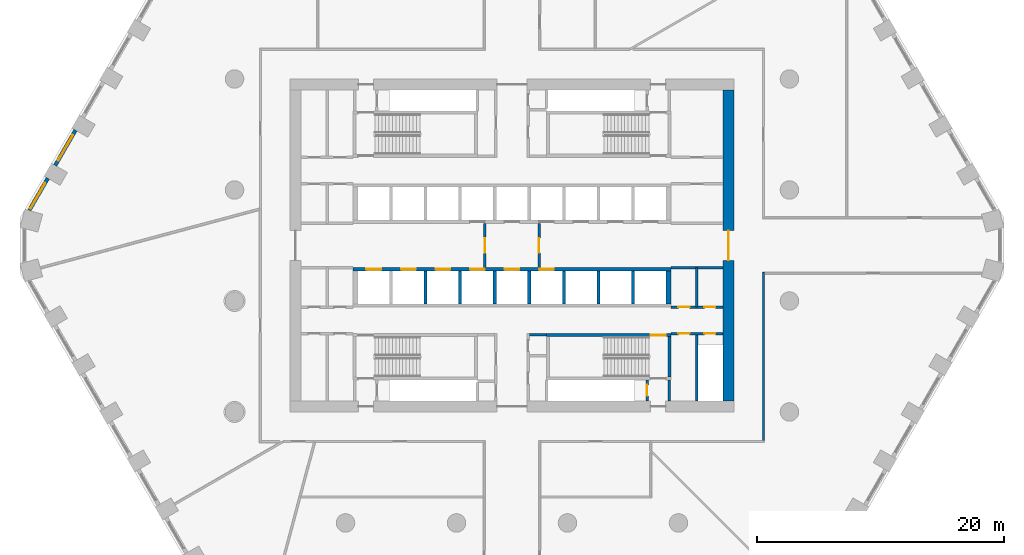
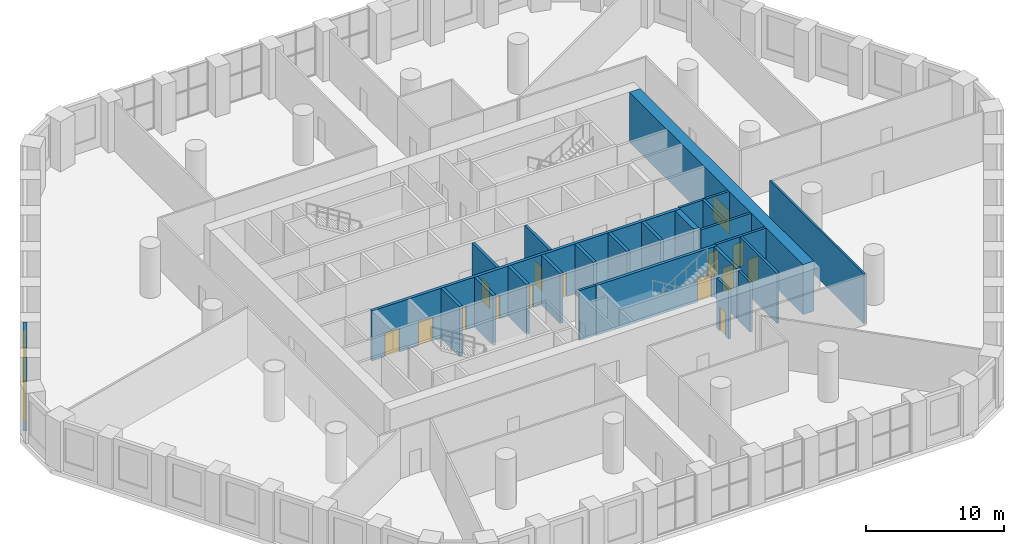
# One storey, part 7 of 13: 25 walls, 15 doors, 2 windows, 17 openings.
"""IFC4 building model written with IfcOpenShell, lengths in metres."""

from ifc_helpers import new_model, si_unit, direction, frame, frame_2d, origin, place, context, subcontext, project, spatial, polyline, rectangle, outline, extrude, material, layer, layer_set, type_object, element, fill, save


model = new_model("IFC4")

# Units and contexts
model_context = context("Model", 3, precision=1e-05, world=origin(), true_north=direction((0.0, 1.0)))
body_context = subcontext(model_context, "Body", "Model", "MODEL_VIEW")
ifc_project = project(units=[si_unit("LENGTHUNIT", "METRE"), si_unit("AREAUNIT", "SQUARE_METRE"), si_unit("VOLUMEUNIT", "CUBIC_METRE"), si_unit("PLANEANGLEUNIT", "RADIAN"), si_unit("MASSUNIT", "GRAM", prefix="KILO")], contexts=[model_context])

# Site, building, storey
site_placement = place(None, origin())
site = spatial("IfcSite", under=ifc_project, at=site_placement, CompositionType="ELEMENT")
building_placement = place(site_placement, origin())
building = spatial("IfcBuilding", under=site, at=building_placement, Name="Dhurran Vertical Campus", CompositionType="ELEMENT")
storey_placement = place(building_placement, frame((0.0, 0.0, 25.199951171875)))
storey = spatial("IfcBuildingStorey", under=building, at=storey_placement, Name="L05", CompositionType="ELEMENT", Elevation=25.199951171875)

# Wall, opening, window
ifc_material_1 = material(Name="Precast concrete C50/60", Category="concrete")
ifc_layer_1 = layer(ifc_material_1, 0.300048828125)
ifc_layer_set_1 = layer_set([ifc_layer_1], Name="Precast concrete C50/60")
wall_type_1 = type_object("IfcWallType", Name="Precast spandrel wall 300", PredefinedType="SOLIDWALL", material=ifc_layer_set_1)
wall_1_placement = place(storey_placement, frame((-35.394287109375, 9.34912109375, 0.0), z_axis=(0.0, 0.0, 1.0), x_axis=(-0.499991515992, -0.866030301974, 0.0)))
wall_1 = element("IfcWall", 1, at=wall_1_placement, inside=storey, type_object=wall_type_1, Name="EW1 L05.41", PredefinedType="SOLIDWALL", context=body_context, shape_type="SweptSolid", body=[
    extrude(rectangle(XDim=3.298828125, YDim=0.300048828125, at=frame_2d((1.6494140625, 0.0))), origin(), (0.0, 0.0, 1.0), 4.425048828125),
])
opening_1_placement = place(wall_1_placement, frame((0.449462890625, 0.0, 0.89990234375)))
opening_1 = element("IfcOpeningElement", 2, at=opening_1_placement, cuts=wall_1, Name="Opening WT2", PredefinedType="OPENING", context=body_context, shape_type="SweptSolid", body=[
    extrude(rectangle(XDim=2.39990234375, YDim=3.0, at=frame_2d((1.199951171875, 1.5))), frame((0.0, 0.159912109375, 0.0), z_axis=(0.0, -1.0, 0.0), x_axis=(1.0, 0.0, 0.0)), (0.0, 0.0, 1.0), 0.320068359375),
])
ifc_material_2 = material(Name="Aluminium frame with solar-control glass", Category="aluminium")
window_type = type_object("IfcWindowType", Name="Podium window 2400 x 3000", PartitioningType="SINGLE_PANEL", PredefinedType="WINDOW", material=ifc_material_2)
window_1_placement = place(opening_1_placement, origin())
window_1 = element("IfcWindow", 3, at=window_1_placement, inside=storey, type_object=window_type, Name="WT2 L05.41", OverallHeight=3.0, OverallWidth=2.39990234375, PartitioningType="SINGLE_PANEL", PredefinedType="WINDOW", context=body_context, shape_type="SweptSolid", body=[
    extrude(rectangle(XDim=2.39990234375, YDim=3.0, at=frame_2d((1.199951171875, 1.5))), frame((0.0, 0.030029296875, 0.0), z_axis=(0.0, -1.0, 0.0), x_axis=(1.0, 0.0, 0.0)), (0.0, 0.0, 1.0), 0.06005859375),
])
fill(opening_1, window_1)

wall_2_placement = place(storey_placement, frame((-37.644287109375, 5.4521484375, 0.0), z_axis=(0.0, 0.0, 1.0), x_axis=(-0.49999586137, -0.866027793211, 0.0)))
wall_2 = element("IfcWall", 4, at=wall_2_placement, inside=storey, type_object=wall_type_1, Name="EW1 L05.42", PredefinedType="SOLIDWALL", context=body_context, shape_type="SweptSolid", body=[
    extrude(rectangle(XDim=2.98876953125, YDim=0.300048828125, at=frame_2d((1.494384765625, 0.0))), origin(), (0.0, 0.0, 1.0), 4.425048828125),
])
opening_2_placement = place(wall_2_placement, frame((0.449462890625, 0.0, 0.89990234375)))
opening_2 = element("IfcOpeningElement", 5, at=opening_2_placement, cuts=wall_2, Name="Opening WT2", PredefinedType="OPENING", context=body_context, shape_type="SweptSolid", body=[
    extrude(rectangle(XDim=2.39990234375, YDim=3.0, at=frame_2d((1.199951171875, 1.5))), frame((0.0, 0.159912109375, 0.0), z_axis=(0.0, -1.0, 0.0), x_axis=(1.0, 0.0, 0.0)), (0.0, 0.0, 1.0), 0.320068359375),
])
window_2_placement = place(opening_2_placement, origin())
window_2 = element("IfcWindow", 6, at=window_2_placement, inside=storey, type_object=window_type, Name="WT2 L05.42", OverallHeight=3.0, OverallWidth=2.39990234375, PartitioningType="SINGLE_PANEL", PredefinedType="WINDOW", context=body_context, shape_type="SweptSolid", body=[
    extrude(rectangle(XDim=2.39990234375, YDim=3.0, at=frame_2d((1.199951171875, 1.5))), frame((0.0, 0.030029296875, 0.0), z_axis=(0.0, -1.0, 0.0), x_axis=(1.0, 0.0, 0.0)), (0.0, 0.0, 1.0), 0.06005859375),
])
fill(opening_2, window_2)

# Wall, opening, door
ifc_material_3 = material(Name="Concrete C60/75", Category="concrete")
ifc_layer_2 = layer(ifc_material_3, 0.89990234375)
ifc_layer_set_2 = layer_set([ifc_layer_2], Name="Concrete C60/75")
wall_type_2 = type_object("IfcWallType", Name="co-CORE-WALL-C0-900", PredefinedType="SHEAR", material=ifc_layer_set_2)
wall_3_placement = place(storey_placement, frame((17.550048828125, -12.60009765625, 0.0), z_axis=(0.0, 0.0, 1.0), x_axis=(0.0, 1.0, 0.0)))
wall_3 = element("IfcWall", 7, at=wall_3_placement, inside=storey, type_object=wall_type_2, Name="Core wall E L05", PredefinedType="SHEAR", context=body_context, shape_type="SweptSolid", body=[
    extrude(rectangle(XDim=25.2001953125, YDim=0.89990234375, at=frame_2d((12.60009765625, 0.0))), origin(), (0.0, 0.0, 1.0), 4.425048828125),
])
opening_3_placement = place(wall_3_placement, frame((11.39990234375, 0.0, 0.0)))
opening_3 = element("IfcOpeningElement", 8, at=opening_3_placement, cuts=wall_3, Name="Opening CL2", PredefinedType="OPENING", context=body_context, shape_type="SweptSolid", body=[
    extrude(rectangle(XDim=2.39990234375, YDim=2.10009765625, at=frame_2d((1.199951171875, 1.050048828125))), frame((0.0, 0.4599609375, 0.0), z_axis=(0.0, -1.0, 0.0), x_axis=(1.0, 0.0, 0.0)), (0.0, 0.0, 1.0), 0.919921875),
])
ifc_material_4 = material(Name="Fire-rated glazed door set")
door_type_1 = type_object("IfcDoorType", Name="co-D-LOBBY 2400x2100", OperationType="DOUBLE_DOOR_DOUBLE_SWING", PredefinedType="DOOR", material=ifc_material_4)
door_1_placement = place(opening_3_placement, origin())
door_1 = element("IfcDoor", 9, at=door_1_placement, inside=storey, type_object=door_type_1, Name="Lift lobby door E L05", OperationType="DOUBLE_DOOR_DOUBLE_SWING", OverallHeight=2.10009765625, OverallWidth=2.39990234375, PredefinedType="DOOR", context=body_context, shape_type="SweptSolid", body=[
    extrude(rectangle(XDim=2.39990234375, YDim=2.10009765625, at=frame_2d((1.199951171875, 1.050048828125))), frame((0.0, 0.02490234375, 0.0), z_axis=(0.0, -1.0, 0.0), x_axis=(1.0, 0.0, 0.0)), (0.0, 0.0, 1.0), 0.050048828125),
])
fill(opening_3, door_1)

ifc_material_5 = material(Name="Fire-rated masonry blockwork", Category="masonry")
ifc_layer_3 = layer(ifc_material_5, 0.199951171875)
ifc_layer_set_3 = layer_set([ifc_layer_3], Name="Fire-rated masonry blockwork")
wall_type_3 = type_object("IfcWallType", Name="co-FIRE-PARTITION-200", PredefinedType="PARTITIONING", material=ifc_layer_set_3)
wall_4_placement = place(storey_placement, frame((-2.199951171875, -1.800048828125, 0.0), z_axis=(0.0, 0.0, 1.0), x_axis=(0.0, 1.0, 0.0)))
wall_4 = element("IfcWall", 10, at=wall_4_placement, inside=storey, type_object=wall_type_3, Name="Firefighting lobby wall W L05", PredefinedType="PARTITIONING", context=body_context, shape_type="SweptSolid", body=[
    extrude(rectangle(XDim=3.60009765625, YDim=0.199951171875, at=frame_2d((1.800048828125, 0.0))), origin(), (0.0, 0.0, 1.0), 4.425048828125),
])
opening_4_placement = place(wall_4_placement, frame((1.199951171875, 0.0, 0.0)))
opening_4 = element("IfcOpeningElement", 11, at=opening_4_placement, cuts=wall_4, Name="Opening FL1", PredefinedType="OPENING", context=body_context, shape_type="SweptSolid", body=[
    extrude(rectangle(XDim=1.199951171875, YDim=2.10009765625, at=frame_2d((0.60009765625, 1.050048828125))), frame((0.0, 0.10986328125, 0.0), z_axis=(0.0, -1.0, 0.0), x_axis=(1.0, 0.0, 0.0)), (0.0, 0.0, 1.0), 0.219970703125),
])
ifc_material_6 = material(Name="Fire-rated steel door set", Category="steel")
door_type_2 = type_object("IfcDoorType", Name="co-D-FFLOBBY 1200x2100", OperationType="SINGLE_SWING_LEFT", PredefinedType="DOOR", material=ifc_material_6)
door_2_placement = place(opening_4_placement, origin())
door_2 = element("IfcDoor", 12, at=door_2_placement, inside=storey, type_object=door_type_2, Name="Firefighting lobby door W L05", OperationType="SINGLE_SWING_LEFT", OverallHeight=2.10009765625, OverallWidth=1.199951171875, PredefinedType="DOOR", context=body_context, shape_type="SweptSolid", body=[
    extrude(rectangle(XDim=1.199951171875, YDim=2.10009765625, at=frame_2d((0.60009765625, 1.050048828125))), frame((0.0, 0.02490234375, 0.0), z_axis=(0.0, -1.0, 0.0), x_axis=(1.0, 0.0, 0.0)), (0.0, 0.0, 1.0), 0.050048828125),
])
fill(opening_4, door_2)

wall_5_placement = place(storey_placement, frame((2.199951171875, -1.800048828125, 0.0), z_axis=(0.0, 0.0, 1.0), x_axis=(0.0, 1.0, 0.0)))
wall_5 = element("IfcWall", 13, at=wall_5_placement, inside=storey, type_object=wall_type_3, Name="Firefighting lobby wall E L05", PredefinedType="PARTITIONING", context=body_context, shape_type="SweptSolid", body=[
    extrude(rectangle(XDim=3.60009765625, YDim=0.199951171875, at=frame_2d((1.800048828125, 0.0))), origin(), (0.0, 0.0, 1.0), 4.425048828125),
])
opening_5_placement = place(wall_5_placement, frame((1.199951171875, 0.0, 0.0)))
opening_5 = element("IfcOpeningElement", 14, at=opening_5_placement, cuts=wall_5, Name="Opening FL2", PredefinedType="OPENING", context=body_context, shape_type="SweptSolid", body=[
    extrude(rectangle(XDim=1.199951171875, YDim=2.10009765625, at=frame_2d((0.60009765625, 1.050048828125))), frame((0.0, 0.10986328125, 0.0), z_axis=(0.0, -1.0, 0.0), x_axis=(1.0, 0.0, 0.0)), (0.0, 0.0, 1.0), 0.219970703125),
])
door_3_placement = place(opening_5_placement, origin())
door_3 = element("IfcDoor", 15, at=door_3_placement, inside=storey, type_object=door_type_2, Name="Firefighting lobby door E L05", OperationType="SINGLE_SWING_LEFT", OverallHeight=2.10009765625, OverallWidth=1.199951171875, PredefinedType="DOOR", context=body_context, shape_type="SweptSolid", body=[
    extrude(rectangle(XDim=1.199951171875, YDim=2.10009765625, at=frame_2d((0.60009765625, 1.050048828125))), frame((0.0, 0.02490234375, 0.0), z_axis=(0.0, -1.0, 0.0), x_axis=(1.0, 0.0, 0.0)), (0.0, 0.0, 1.0), 0.050048828125),
])
fill(opening_5, door_3)

# Walls
wall_6_placement = place(storey_placement, frame((1.39990234375, -7.25, 0.0), z_axis=(0.0, 0.0, 1.0), x_axis=(1.0, 0.0, 0.0)))
element("IfcWall", 16, at=wall_6_placement, inside=storey, type_object=wall_type_3, Name="Core partition sl-SE-S L05", PredefinedType="PARTITIONING", context=body_context, shape_type="SweptSolid", body=[
    extrude(rectangle(XDim=1.400146484375, YDim=0.199951171875, at=frame_2d((0.7001953125, 0.0))), origin(), (0.0, 0.0, 1.0), 4.425048828125),
])
wall_7_placement = place(storey_placement, frame((12.75, -12.60009765625, 0.0), z_axis=(0.0, 0.0, 1.0), x_axis=(0.0, 1.0, 0.0)))
element("IfcWall", 17, at=wall_7_placement, inside=storey, type_object=wall_type_3, Name="Core partition pass-ST4-o L05", PredefinedType="PARTITIONING", context=body_context, shape_type="SweptSolid", body=[
    extrude(rectangle(XDim=1.7001953125, YDim=0.199951171875, at=frame_2d((0.85009765625, 0.0))), origin(), (0.0, 0.0, 1.0), 4.425048828125),
])

# Wall, opening, door
wall_8_placement = place(storey_placement, frame((10.949951171875, -12.60009765625, 0.0), z_axis=(0.0, 0.0, 1.0), x_axis=(0.0, 1.0, 0.0)))
wall_8 = element("IfcWall", 18, at=wall_8_placement, inside=storey, type_object=wall_type_3, Name="Core partition pass-ST4-i L05", PredefinedType="PARTITIONING", context=body_context, shape_type="SweptSolid", body=[
    extrude(rectangle(XDim=1.7001953125, YDim=0.199951171875, at=frame_2d((0.85009765625, 0.0))), origin(), (0.0, 0.0, 1.0), 4.425048828125),
])
opening_6_placement = place(wall_8_placement, frame((0.39990234375, 0.0, 0.0)))
opening_6 = element("IfcOpeningElement", 19, at=opening_6_placement, cuts=wall_8, Name="Opening PD05-C11", PredefinedType="OPENING", context=body_context, shape_type="SweptSolid", body=[
    extrude(rectangle(XDim=0.89990234375, YDim=2.10009765625, at=frame_2d((0.449951171875, 1.050048828125))), frame((0.0, 0.10986328125, 0.0), z_axis=(0.0, -1.0, 0.0), x_axis=(1.0, 0.0, 0.0)), (0.0, 0.0, 1.0), 0.219970703125),
])
ifc_material_7 = material(Name="Fire-rated timber door set", Category="wood")
door_type_3 = type_object("IfcDoorType", Name="co-D-ROOM 900x2100", OperationType="SINGLE_SWING_LEFT", PredefinedType="DOOR", material=ifc_material_7)
door_4_placement = place(opening_6_placement, origin())
door_4 = element("IfcDoor", 20, at=door_4_placement, inside=storey, type_object=door_type_3, Name="Riser room door L05", OperationType="SINGLE_SWING_LEFT", OverallHeight=2.10009765625, OverallWidth=0.89990234375, PredefinedType="DOOR", context=body_context, shape_type="SweptSolid", body=[
    extrude(rectangle(XDim=0.89990234375, YDim=2.10009765625, at=frame_2d((0.449951171875, 1.050048828125))), frame((0.0, 0.02490234375, 0.0), z_axis=(0.0, -1.0, 0.0), x_axis=(1.0, 0.0, 0.0)), (0.0, 0.0, 1.0), 0.050048828125),
])
fill(opening_6, door_4)

# Wall
wall_9_placement = place(storey_placement, frame((15.0, -12.60009765625, 0.0), z_axis=(0.0, 0.0, 1.0), x_axis=(0.0, 1.0, 0.0)))
element("IfcWall", 21, at=wall_9_placement, inside=storey, type_object=wall_type_3, Name="Core partition en-SE-cut0 L05", PredefinedType="PARTITIONING", context=body_context, shape_type="SweptSolid", body=[
    extrude(rectangle(XDim=5.4501953125, YDim=0.199951171875, at=frame_2d((2.72509765625, 0.0))), origin(), (0.0, 0.0, 1.0), 4.425048828125),
])

# Wall, openings, doors
wall_10_placement = place(storey_placement, frame((12.89990234375, -7.14990234375, 0.0), z_axis=(0.0, 0.0, 1.0), x_axis=(1.0, 0.0, 0.0)))
wall_10 = element("IfcWall", 22, at=wall_10_placement, inside=storey, type_object=wall_type_3, Name="Core partition en-SE-w L05", PredefinedType="PARTITIONING", context=body_context, shape_type="SweptSolid", body=[
    extrude(rectangle(XDim=4.2001953125, YDim=0.199951171875, at=frame_2d((2.10009765625, 0.0))), origin(), (0.0, 0.0, 1.0), 4.425048828125),
])
opening_7_placement = place(wall_10_placement, frame((0.60009765625, 0.0, 0.0)))
opening_7 = element("IfcOpeningElement", 23, at=opening_7_placement, cuts=wall_10, Name="Opening PD05-C22", PredefinedType="OPENING", context=body_context, shape_type="SweptSolid", body=[
    extrude(rectangle(XDim=0.89990234375, YDim=2.10009765625, at=frame_2d((0.449951171875, 1.050048828125))), frame((0.0, 0.10986328125, 0.0), z_axis=(0.0, -1.0, 0.0), x_axis=(1.0, 0.0, 0.0)), (0.0, 0.0, 1.0), 0.219970703125),
])
opening_8_placement = place(wall_10_placement, frame((2.699951171875, 0.0, 0.0)))
opening_8 = element("IfcOpeningElement", 24, at=opening_8_placement, cuts=wall_10, Name="Opening PD05-C23", PredefinedType="OPENING", context=body_context, shape_type="SweptSolid", body=[
    extrude(rectangle(XDim=0.89990234375, YDim=2.10009765625, at=frame_2d((0.449951171875, 1.050048828125))), frame((0.0, 0.10986328125, 0.0), z_axis=(0.0, -1.0, 0.0), x_axis=(1.0, 0.0, 0.0)), (0.0, 0.0, 1.0), 0.219970703125),
])
door_5_placement = place(opening_7_placement, origin())
door_5 = element("IfcDoor", 25, at=door_5_placement, inside=storey, type_object=door_type_3, Name="Fire equipment store door L05", OperationType="SINGLE_SWING_LEFT", OverallHeight=2.10009765625, OverallWidth=0.89990234375, PredefinedType="DOOR", context=body_context, shape_type="SweptSolid", body=[
    extrude(rectangle(XDim=0.89990234375, YDim=2.10009765625, at=frame_2d((0.449951171875, 1.050048828125))), frame((0.0, 0.02490234375, 0.0), z_axis=(0.0, -1.0, 0.0), x_axis=(1.0, 0.0, 0.0)), (0.0, 0.0, 1.0), 0.050048828125),
])
fill(opening_7, door_5)
door_6_placement = place(opening_8_placement, origin())
door_6 = element("IfcDoor", 26, at=door_6_placement, inside=storey, type_object=door_type_3, Name="Water riser door L05", OperationType="SINGLE_SWING_LEFT", OverallHeight=2.10009765625, OverallWidth=0.89990234375, PredefinedType="DOOR", context=body_context, shape_type="SweptSolid", body=[
    extrude(rectangle(XDim=0.89990234375, YDim=2.10009765625, at=frame_2d((0.449951171875, 1.050048828125))), frame((0.0, 0.02490234375, 0.0), z_axis=(0.0, -1.0, 0.0), x_axis=(1.0, 0.0, 0.0)), (0.0, 0.0, 1.0), 0.050048828125),
])
fill(opening_8, door_6)

# Wall
wall_11_placement = place(storey_placement, frame((15.0, -5.0, 0.0), z_axis=(0.0, 0.0, 1.0), x_axis=(0.0, 1.0, 0.0)))
element("IfcWall", 27, at=wall_11_placement, inside=storey, type_object=wall_type_3, Name="Core partition es-SE-cut0 L05", PredefinedType="PARTITIONING", context=body_context, shape_type="SweptSolid", body=[
    extrude(rectangle(XDim=3.199951171875, YDim=0.199951171875, at=frame_2d((1.60009765625, 0.0))), origin(), (0.0, 0.0, 1.0), 4.425048828125),
])

# Wall, openings, doors
wall_12_placement = place(storey_placement, frame((12.89990234375, -5.0, 0.0), z_axis=(0.0, 0.0, 1.0), x_axis=(1.0, 0.0, 0.0)))
wall_12 = element("IfcWall", 28, at=wall_12_placement, inside=storey, type_object=wall_type_3, Name="Core partition es-SE-w L05", PredefinedType="PARTITIONING", context=body_context, shape_type="SweptSolid", body=[
    extrude(rectangle(XDim=4.2001953125, YDim=0.199951171875, at=frame_2d((2.10009765625, 0.0))), origin(), (0.0, 0.0, 1.0), 4.425048828125),
])
opening_9_placement = place(wall_12_placement, frame((0.60009765625, 0.0, 0.0)))
opening_9 = element("IfcOpeningElement", 29, at=opening_9_placement, cuts=wall_12, Name="Opening PD05-C24", PredefinedType="OPENING", context=body_context, shape_type="SweptSolid", body=[
    extrude(rectangle(XDim=0.89990234375, YDim=2.10009765625, at=frame_2d((0.449951171875, 1.050048828125))), frame((0.0, 0.10986328125, 0.0), z_axis=(0.0, -1.0, 0.0), x_axis=(1.0, 0.0, 0.0)), (0.0, 0.0, 1.0), 0.219970703125),
])
opening_10_placement = place(wall_12_placement, frame((2.699951171875, 0.0, 0.0)))
opening_10 = element("IfcOpeningElement", 30, at=opening_10_placement, cuts=wall_12, Name="Opening PD05-C25", PredefinedType="OPENING", context=body_context, shape_type="SweptSolid", body=[
    extrude(rectangle(XDim=0.89990234375, YDim=2.10009765625, at=frame_2d((0.449951171875, 1.050048828125))), frame((0.0, 0.10986328125, 0.0), z_axis=(0.0, -1.0, 0.0), x_axis=(1.0, 0.0, 0.0)), (0.0, 0.0, 1.0), 0.219970703125),
])
door_7_placement = place(opening_9_placement, origin())
door_7 = element("IfcDoor", 31, at=door_7_placement, inside=storey, type_object=door_type_3, Name="Fire equipment store door L05", OperationType="SINGLE_SWING_LEFT", OverallHeight=2.10009765625, OverallWidth=0.89990234375, PredefinedType="DOOR", context=body_context, shape_type="SweptSolid", body=[
    extrude(rectangle(XDim=0.89990234375, YDim=2.10009765625, at=frame_2d((0.449951171875, 1.050048828125))), frame((0.0, 0.02490234375, 0.0), z_axis=(0.0, -1.0, 0.0), x_axis=(1.0, 0.0, 0.0)), (0.0, 0.0, 1.0), 0.050048828125),
])
fill(opening_9, door_7)
door_8_placement = place(opening_10_placement, origin())
door_8 = element("IfcDoor", 32, at=door_8_placement, inside=storey, type_object=door_type_3, Name="Water riser door L05", OperationType="SINGLE_SWING_LEFT", OverallHeight=2.10009765625, OverallWidth=0.89990234375, PredefinedType="DOOR", context=body_context, shape_type="SweptSolid", body=[
    extrude(rectangle(XDim=0.89990234375, YDim=2.10009765625, at=frame_2d((0.449951171875, 1.050048828125))), frame((0.0, 0.02490234375, 0.0), z_axis=(0.0, -1.0, 0.0), x_axis=(1.0, 0.0, 0.0)), (0.0, 0.0, 1.0), 0.050048828125),
])
fill(opening_10, door_8)

# Wall
wall_13_placement = place(storey_placement, frame((12.89990234375, -1.800048828125, 0.0), z_axis=(0.0, 0.0, 1.0), x_axis=(1.0, 0.0, 0.0)))
element("IfcWall", 33, at=wall_13_placement, inside=storey, type_object=wall_type_3, Name="Core partition es-SE-l L05", PredefinedType="PARTITIONING", context=body_context, shape_type="SweptSolid", body=[
    extrude(rectangle(XDim=4.2001953125, YDim=0.199951171875, at=frame_2d((2.10009765625, 0.0))), origin(), (0.0, 0.0, 1.0), 4.425048828125),
])

# Wall, openings, doors
ifc_material_8 = material(Name="Concrete C50/60", Category="concrete")
ifc_layer_4 = layer(ifc_material_8, 0.25)
ifc_layer_set_4 = layer_set([ifc_layer_4], Name="Concrete C50/60")
wall_type_4 = type_object("IfcWallType", Name="co-SHAFT-FRONT-250", PredefinedType="SHEAR", material=ifc_layer_set_4)
wall_14_placement = place(storey_placement, frame((-12.89990234375, -1.925048828125, 0.0), z_axis=(0.0, 0.0, 1.0), x_axis=(1.0, 0.0, 0.0)))
wall_14 = element("IfcWall", 34, at=wall_14_placement, inside=storey, type_object=wall_type_4, Name="Lift landing wall S L05", PredefinedType="SHEAR", context=body_context, shape_type="SweptSolid", body=[
    extrude(rectangle(XDim=25.7998046875, YDim=0.25, at=frame_2d((12.89990234375, 0.0))), origin(), (0.0, 0.0, 1.0), 4.425048828125),
])
opening_11_placement = place(wall_14_placement, frame((1.10009765625, 0.0, 0.0)))
opening_11 = element("IfcOpeningElement", 35, at=opening_11_placement, cuts=wall_14, Name="Opening LD", PredefinedType="OPENING", context=body_context, shape_type="SweptSolid", body=[
    extrude(rectangle(XDim=1.199951171875, YDim=2.10009765625, at=frame_2d((0.60009765625, 1.050048828125))), frame((0.0, 0.135009765625, 0.0), z_axis=(0.0, -1.0, 0.0), x_axis=(1.0, 0.0, 0.0)), (0.0, 0.0, 1.0), 0.27001953125),
])
opening_12_placement = place(wall_14_placement, frame((3.89990234375, 0.0, 0.0)))
opening_12 = element("IfcOpeningElement", 36, at=opening_12_placement, cuts=wall_14, Name="Opening LD", PredefinedType="OPENING", context=body_context, shape_type="SweptSolid", body=[
    extrude(rectangle(XDim=1.199951171875, YDim=2.10009765625, at=frame_2d((0.60009765625, 1.050048828125))), frame((0.0, 0.135009765625, 0.0), z_axis=(0.0, -1.0, 0.0), x_axis=(1.0, 0.0, 0.0)), (0.0, 0.0, 1.0), 0.27001953125),
])
opening_13_placement = place(wall_14_placement, frame((6.699951171875, 0.0, 0.0)))
opening_13 = element("IfcOpeningElement", 37, at=opening_13_placement, cuts=wall_14, Name="Opening LD", PredefinedType="OPENING", context=body_context, shape_type="SweptSolid", body=[
    extrude(rectangle(XDim=1.199951171875, YDim=2.10009765625, at=frame_2d((0.60009765625, 1.050048828125))), frame((0.0, 0.135009765625, 0.0), z_axis=(0.0, -1.0, 0.0), x_axis=(1.0, 0.0, 0.0)), (0.0, 0.0, 1.0), 0.27001953125),
])
opening_14_placement = place(wall_14_placement, frame((9.5, 0.0, 0.0)))
opening_14 = element("IfcOpeningElement", 38, at=opening_14_placement, cuts=wall_14, Name="Opening LD", PredefinedType="OPENING", context=body_context, shape_type="SweptSolid", body=[
    extrude(rectangle(XDim=1.199951171875, YDim=2.10009765625, at=frame_2d((0.60009765625, 1.050048828125))), frame((0.0, 0.135009765625, 0.0), z_axis=(0.0, -1.0, 0.0), x_axis=(1.0, 0.0, 0.0)), (0.0, 0.0, 1.0), 0.27001953125),
])
opening_15_placement = place(wall_14_placement, frame((12.300048828125, 0.0, 0.0)))
opening_15 = element("IfcOpeningElement", 39, at=opening_15_placement, cuts=wall_14, Name="Opening LD", PredefinedType="OPENING", context=body_context, shape_type="SweptSolid", body=[
    extrude(rectangle(XDim=1.199951171875, YDim=2.10009765625, at=frame_2d((0.60009765625, 1.050048828125))), frame((0.0, 0.135009765625, 0.0), z_axis=(0.0, -1.0, 0.0), x_axis=(1.0, 0.0, 0.0)), (0.0, 0.0, 1.0), 0.27001953125),
])
opening_16_placement = place(wall_14_placement, frame((15.10009765625, 0.0, 0.0)))
opening_16 = element("IfcOpeningElement", 40, at=opening_16_placement, cuts=wall_14, Name="Opening LD", PredefinedType="OPENING", context=body_context, shape_type="SweptSolid", body=[
    extrude(rectangle(XDim=1.199951171875, YDim=2.10009765625, at=frame_2d((0.60009765625, 1.050048828125))), frame((0.0, 0.135009765625, 0.0), z_axis=(0.0, -1.0, 0.0), x_axis=(1.0, 0.0, 0.0)), (0.0, 0.0, 1.0), 0.27001953125),
])
ifc_material_9 = material(Name="Stainless steel landing door", Category="steel")
door_type_4 = type_object("IfcDoorType", Name="co-D-LANDING 1200x2100", OperationType="DOUBLE_DOOR_SLIDING", PredefinedType="DOOR", material=ifc_material_9)
door_9_placement = place(opening_11_placement, origin())
door_9 = element("IfcDoor", 41, at=door_9_placement, inside=storey, type_object=door_type_4, Name="Landing door LR5 L05", OperationType="DOUBLE_DOOR_SLIDING", OverallHeight=2.10009765625, OverallWidth=1.199951171875, PredefinedType="DOOR", context=body_context, shape_type="SweptSolid", body=[
    extrude(rectangle(XDim=1.199951171875, YDim=2.10009765625, at=frame_2d((0.60009765625, 1.050048828125))), frame((0.0, 0.02490234375, 0.0), z_axis=(0.0, -1.0, 0.0), x_axis=(1.0, 0.0, 0.0)), (0.0, 0.0, 1.0), 0.050048828125),
])
fill(opening_11, door_9)
door_10_placement = place(opening_12_placement, origin())
door_10 = element("IfcDoor", 42, at=door_10_placement, inside=storey, type_object=door_type_4, Name="Landing door LR6 L05", OperationType="DOUBLE_DOOR_SLIDING", OverallHeight=2.10009765625, OverallWidth=1.199951171875, PredefinedType="DOOR", context=body_context, shape_type="SweptSolid", body=[
    extrude(rectangle(XDim=1.199951171875, YDim=2.10009765625, at=frame_2d((0.60009765625, 1.050048828125))), frame((0.0, 0.02490234375, 0.0), z_axis=(0.0, -1.0, 0.0), x_axis=(1.0, 0.0, 0.0)), (0.0, 0.0, 1.0), 0.050048828125),
])
fill(opening_12, door_10)
door_11_placement = place(opening_13_placement, origin())
door_11 = element("IfcDoor", 43, at=door_11_placement, inside=storey, type_object=door_type_4, Name="Landing door LR7 L05", OperationType="DOUBLE_DOOR_SLIDING", OverallHeight=2.10009765625, OverallWidth=1.199951171875, PredefinedType="DOOR", context=body_context, shape_type="SweptSolid", body=[
    extrude(rectangle(XDim=1.199951171875, YDim=2.10009765625, at=frame_2d((0.60009765625, 1.050048828125))), frame((0.0, 0.02490234375, 0.0), z_axis=(0.0, -1.0, 0.0), x_axis=(1.0, 0.0, 0.0)), (0.0, 0.0, 1.0), 0.050048828125),
])
fill(opening_13, door_11)
door_12_placement = place(opening_14_placement, origin())
door_12 = element("IfcDoor", 44, at=door_12_placement, inside=storey, type_object=door_type_4, Name="Landing door LR8 L05", OperationType="DOUBLE_DOOR_SLIDING", OverallHeight=2.10009765625, OverallWidth=1.199951171875, PredefinedType="DOOR", context=body_context, shape_type="SweptSolid", body=[
    extrude(rectangle(XDim=1.199951171875, YDim=2.10009765625, at=frame_2d((0.60009765625, 1.050048828125))), frame((0.0, 0.02490234375, 0.0), z_axis=(0.0, -1.0, 0.0), x_axis=(1.0, 0.0, 0.0)), (0.0, 0.0, 1.0), 0.050048828125),
])
fill(opening_14, door_12)
door_13_placement = place(opening_15_placement, origin())
door_13 = element("IfcDoor", 45, at=door_13_placement, inside=storey, type_object=door_type_4, Name="Landing door FF2 L05", OperationType="DOUBLE_DOOR_SLIDING", OverallHeight=2.10009765625, OverallWidth=1.199951171875, PredefinedType="DOOR", context=body_context, shape_type="SweptSolid", body=[
    extrude(rectangle(XDim=1.199951171875, YDim=2.10009765625, at=frame_2d((0.60009765625, 1.050048828125))), frame((0.0, 0.02490234375, 0.0), z_axis=(0.0, -1.0, 0.0), x_axis=(1.0, 0.0, 0.0)), (0.0, 0.0, 1.0), 0.050048828125),
])
fill(opening_15, door_13)
door_14_placement = place(opening_16_placement, origin())
door_14 = element("IfcDoor", 46, at=door_14_placement, inside=storey, type_object=door_type_4, Name="Landing door SV1 L05", OperationType="DOUBLE_DOOR_SLIDING", OverallHeight=2.10009765625, OverallWidth=1.199951171875, PredefinedType="DOOR", context=body_context, shape_type="SweptSolid", body=[
    extrude(rectangle(XDim=1.199951171875, YDim=2.10009765625, at=frame_2d((0.60009765625, 1.050048828125))), frame((0.0, 0.02490234375, 0.0), z_axis=(0.0, -1.0, 0.0), x_axis=(1.0, 0.0, 0.0)), (0.0, 0.0, 1.0), 0.050048828125),
])
fill(opening_16, door_14)

# Walls
ifc_material_10 = material(Name="Concrete C50/60", Category="concrete")
ifc_layer_5 = layer(ifc_material_10, 0.25)
ifc_layer_set_5 = layer_set([ifc_layer_5], Name="Concrete C50/60")
wall_type_5 = type_object("IfcWallType", Name="co-SHAFT-MASS-250", PredefinedType="SHEAR", material=ifc_layer_set_5)
wall_15_placement = place(storey_placement, origin())
element("IfcWall", 47, at=wall_15_placement, inside=storey, type_object=wall_type_5, Name="Lift shaft wall S L05 4", PredefinedType="SHEAR", context=body_context, shape_type="SweptSolid", body=[
    extrude(outline(polyline([(-7.125, -4.75), (-6.875, -4.75), (-6.875, -2.050048828125), (-7.125, -2.050048828125), (-7.125, -4.75)])), origin(), (0.0, 0.0, 1.0), 4.425048828125),
])
wall_16_placement = place(storey_placement, origin())
element("IfcWall", 48, at=wall_16_placement, inside=storey, type_object=wall_type_5, Name="Lift shaft wall S L05 5", PredefinedType="SHEAR", context=body_context, shape_type="SweptSolid", body=[
    extrude(outline(polyline([(-4.324951171875, -4.75), (-4.074951171875, -4.75), (-4.074951171875, -2.050048828125), (-4.324951171875, -2.050048828125), (-4.324951171875, -4.75)])), origin(), (0.0, 0.0, 1.0), 4.425048828125),
])
wall_17_placement = place(storey_placement, origin())
element("IfcWall", 49, at=wall_17_placement, inside=storey, type_object=wall_type_5, Name="Lift shaft wall S L05 6", PredefinedType="SHEAR", context=body_context, shape_type="SweptSolid", body=[
    extrude(outline(polyline([(-1.52490234375, -4.75), (-1.27490234375, -4.75), (-1.27490234375, -2.050048828125), (-1.52490234375, -2.050048828125), (-1.52490234375, -4.75)])), origin(), (0.0, 0.0, 1.0), 4.425048828125),
])
wall_18_placement = place(storey_placement, origin())
element("IfcWall", 50, at=wall_18_placement, inside=storey, type_object=wall_type_5, Name="Lift shaft wall S L05 7", PredefinedType="SHEAR", context=body_context, shape_type="SweptSolid", body=[
    extrude(outline(polyline([(1.27490234375, -4.75), (1.52490234375, -4.75), (1.52490234375, -2.050048828125), (1.27490234375, -2.050048828125), (1.27490234375, -4.75)])), origin(), (0.0, 0.0, 1.0), 4.425048828125),
])
wall_19_placement = place(storey_placement, origin())
element("IfcWall", 51, at=wall_19_placement, inside=storey, type_object=wall_type_5, Name="Lift shaft wall S L05 8", PredefinedType="SHEAR", context=body_context, shape_type="SweptSolid", body=[
    extrude(outline(polyline([(4.074951171875, -4.75), (4.324951171875, -4.75), (4.324951171875, -2.050048828125), (4.074951171875, -2.050048828125), (4.074951171875, -4.75)])), origin(), (0.0, 0.0, 1.0), 4.425048828125),
])
wall_20_placement = place(storey_placement, origin())
element("IfcWall", 52, at=wall_20_placement, inside=storey, type_object=wall_type_5, Name="Lift shaft wall S L05 9", PredefinedType="SHEAR", context=body_context, shape_type="SweptSolid", body=[
    extrude(outline(polyline([(6.875, -4.75), (7.125, -4.75), (7.125, -2.050048828125), (6.875, -2.050048828125), (6.875, -4.75)])), origin(), (0.0, 0.0, 1.0), 4.425048828125),
])
wall_21_placement = place(storey_placement, origin())
element("IfcWall", 53, at=wall_21_placement, inside=storey, type_object=wall_type_5, Name="Lift shaft wall S L05 10", PredefinedType="SHEAR", context=body_context, shape_type="SweptSolid", body=[
    extrude(outline(polyline([(9.675048828125, -4.75), (9.925048828125, -4.75), (9.925048828125, -2.050048828125), (9.675048828125, -2.050048828125), (9.675048828125, -4.75)])), origin(), (0.0, 0.0, 1.0), 4.425048828125),
])
wall_22_placement = place(storey_placement, origin())
element("IfcWall", 54, at=wall_22_placement, inside=storey, type_object=wall_type_5, Name="Lift shaft wall S L05 11", PredefinedType="SHEAR", context=body_context, shape_type="SweptSolid", body=[
    extrude(outline(polyline([(12.47509765625, -4.75), (12.89990234375, -4.75), (12.89990234375, -2.050048828125), (12.47509765625, -2.050048828125), (12.47509765625, -4.75)])), origin(), (0.0, 0.0, 1.0), 4.425048828125),
])

# Wall, opening, door
ifc_material_11 = material(Name="Concrete C40/50", Category="concrete")
ifc_layer_6 = layer(ifc_material_11, 0.25)
ifc_layer_set_6 = layer_set([ifc_layer_6], Name="Concrete C40/50")
wall_type_6 = type_object("IfcWallType", Name="co-STAIR-WALL-250", PredefinedType="SHEAR", material=ifc_layer_set_6)
wall_23_placement = place(storey_placement, frame((2.800048828125, -7.27490234375, 0.0), z_axis=(0.0, 0.0, 1.0), x_axis=(1.0, 0.0, 0.0)))
wall_23 = element("IfcWall", 55, at=wall_23_placement, inside=storey, type_object=wall_type_6, Name="Stair ST4 enclosure wall L05", PredefinedType="SHEAR", context=body_context, shape_type="SweptSolid", body=[
    extrude(rectangle(XDim=10.099853515625, YDim=0.25, at=frame_2d((5.0498046875, 0.0))), origin(), (0.0, 0.0, 1.0), 4.425048828125),
])
opening_17_placement = place(wall_23_placement, frame((8.449951171875, 0.0, 0.0)))
opening_17 = element("IfcOpeningElement", 56, at=opening_17_placement, cuts=wall_23, Name="Opening SD4", PredefinedType="OPENING", context=body_context, shape_type="SweptSolid", body=[
    extrude(rectangle(XDim=1.199951171875, YDim=2.10009765625, at=frame_2d((0.60009765625, 1.050048828125))), frame((0.0, 0.135009765625, 0.0), z_axis=(0.0, -1.0, 0.0), x_axis=(1.0, 0.0, 0.0)), (0.0, 0.0, 1.0), 0.27001953125),
])
ifc_material_12 = material(Name="Fire-rated steel door set", Category="steel")
door_type_5 = type_object("IfcDoorType", Name="co-D-STAIR 1200x2100", OperationType="SINGLE_SWING_LEFT", PredefinedType="DOOR", material=ifc_material_12)
door_15_placement = place(opening_17_placement, origin())
door_15 = element("IfcDoor", 57, at=door_15_placement, inside=storey, type_object=door_type_5, Name="Stair ST4 door L05", OperationType="SINGLE_SWING_LEFT", OverallHeight=2.10009765625, OverallWidth=1.199951171875, PredefinedType="DOOR", context=body_context, shape_type="SweptSolid", body=[
    extrude(rectangle(XDim=1.199951171875, YDim=2.10009765625, at=frame_2d((0.60009765625, 1.050048828125))), frame((0.0, 0.02490234375, 0.0), z_axis=(0.0, -1.0, 0.0), x_axis=(1.0, 0.0, 0.0)), (0.0, 0.0, 1.0), 0.050048828125),
])
fill(opening_17, door_15)

# Walls
wall_24_placement = place(storey_placement, frame((12.77490234375, -10.64990234375, 0.0), z_axis=(0.0, 0.0, 1.0), x_axis=(0.0, 1.0, 0.0)))
element("IfcWall", 58, at=wall_24_placement, inside=storey, type_object=wall_type_6, Name="Stair ST4 enclosure wall L05", PredefinedType="SHEAR", context=body_context, shape_type="SweptSolid", body=[
    extrude(rectangle(XDim=3.25, YDim=0.25, at=frame_2d((1.625, 0.0))), origin(), (0.0, 0.0, 1.0), 4.425048828125),
])
ifc_material_13 = material(Name="Gypsum board corridor wall on steel studs", Category="steel")
ifc_layer_7 = layer(ifc_material_13, 0.14990234375)
ifc_layer_set_7 = layer_set([ifc_layer_7], Name="Gypsum board corridor wall on steel studs")
wall_type_7 = type_object("IfcWallType", Name="fl-CW-150 corridor wall", PredefinedType="PARTITIONING", material=ifc_layer_set_7)
wall_25_placement = place(storey_placement, frame((20.39990234375, -15.824951171875, 0.0), z_axis=(0.0, 0.0, 1.0), x_axis=(0.0, 1.0, 0.0)))
element("IfcWall", 59, at=wall_25_placement, inside=storey, type_object=wall_type_7, Name="Partition 05-33", PredefinedType="PARTITIONING", context=body_context, shape_type="SweptSolid", body=[
    extrude(rectangle(XDim=13.64990234375, YDim=0.14990234375, at=frame_2d((6.824951171875, 0.0))), origin(), (0.0, 0.0, 1.0), 4.425048828125),
])

save(model, "model.ifc")
